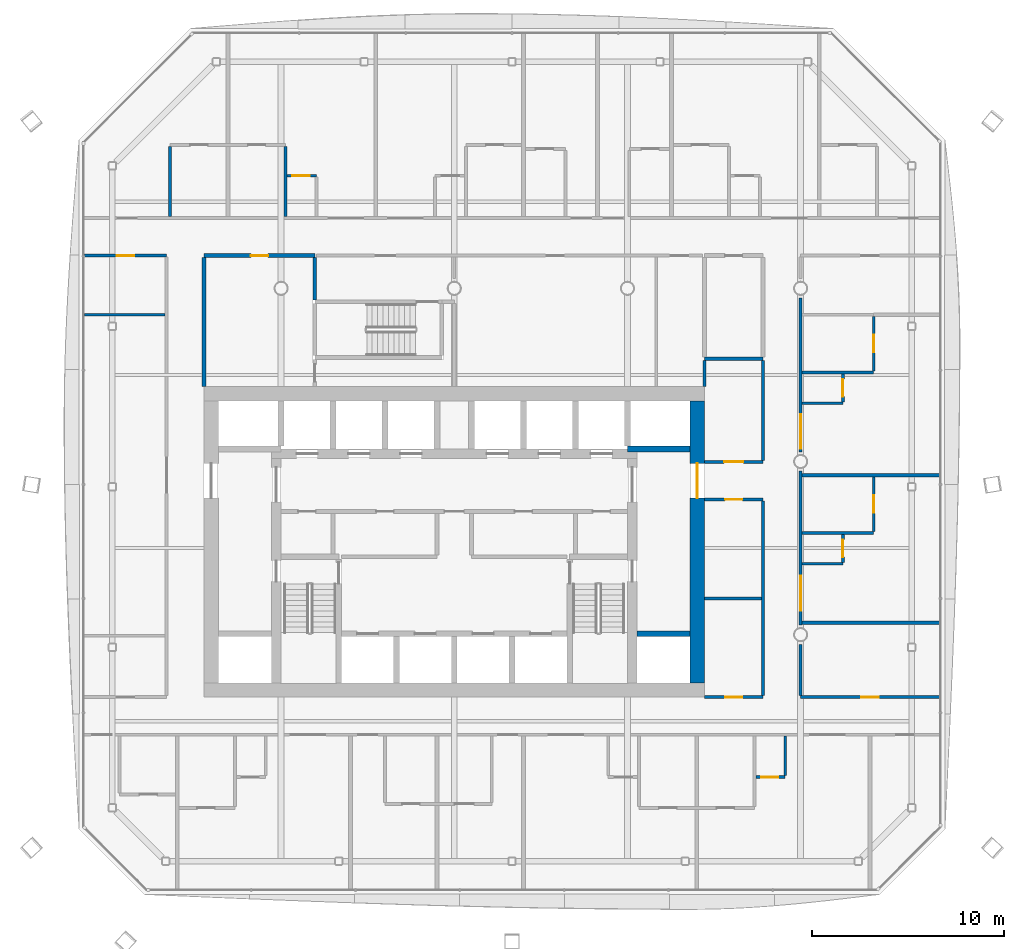
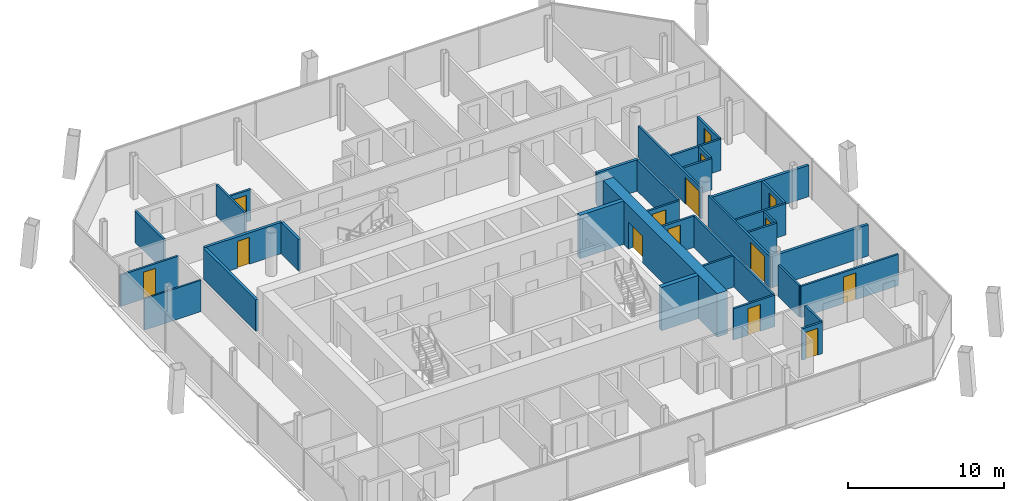
# One storey, part 15 of 21: 35 walls, 15 doors, 15 openings.
"""IFC4 building model written with IfcOpenShell, lengths in metres."""

from ifc_helpers import new_model, si_unit, direction, frame, frame_2d, origin, place, context, subcontext, project, spatial, rectangle, extrude, material, layer, layer_set, type_object, element, fill, save


model = new_model("IFC4")

# Units and contexts
model_context = context("Model", 3, precision=1e-05, world=origin(), true_north=direction((0.0, 1.0)))
body_context = subcontext(model_context, "Body", "Model", "MODEL_VIEW")
ifc_project = project(units=[si_unit("LENGTHUNIT", "METRE"), si_unit("AREAUNIT", "SQUARE_METRE"), si_unit("VOLUMEUNIT", "CUBIC_METRE"), si_unit("PLANEANGLEUNIT", "RADIAN"), si_unit("MASSUNIT", "GRAM", prefix="KILO")], contexts=[model_context])

# Site, building, storey
site_placement = place(None, origin())
site = spatial("IfcSite", under=ifc_project, at=site_placement, CompositionType="ELEMENT")
building_placement = place(site_placement, origin())
building = spatial("IfcBuilding", under=site, at=building_placement, Name="Tskaro Facet Tower", CompositionType="ELEMENT")
storey_placement = place(building_placement, frame((0.0, 0.0, 148.699951171875)))
storey = spatial("IfcBuildingStorey", under=building, at=storey_placement, Name="L36", CompositionType="ELEMENT", Elevation=148.699951171875)

# Walls
ifc_material_1 = material(Name="Concrete C60/75", Category="concrete")
ifc_layer_1 = layer(ifc_material_1, 0.300048828125, Name="Concrete C60/75")
ifc_layer_set_1 = layer_set([ifc_layer_1], Name="Concrete C60/75")
wall_type_1 = type_object("IfcWallType", Name="CORE-SHAFT", PredefinedType="SHEAR", material=ifc_layer_set_1)
wall_1_placement = place(storey_placement, frame((9.5, -8.949951171875, 0.0), z_axis=(0.0, 0.0, 1.0), x_axis=(1.0, 0.0, 0.0)))
element("IfcWall", 1, at=wall_1_placement, inside=storey, type_object=wall_type_1, Name="Shaft wall W015", PredefinedType="SHEAR", context=body_context, shape_type="SweptSolid", body=[
    extrude(rectangle(XDim=2.75, YDim=0.300048828125, at=frame_2d((1.375, 0.0))), origin(), (0.0, 0.0, 1.0), 3.400146484375),
])
wall_2_placement = place(storey_placement, frame((12.25, 0.64990234375, 0.0), z_axis=(0.0, 0.0, 1.0), x_axis=(-1.0, 0.0, 0.0)))
element("IfcWall", 2, at=wall_2_placement, inside=storey, type_object=wall_type_1, Name="Shaft wall W029", PredefinedType="SHEAR", context=body_context, shape_type="SweptSolid", body=[
    extrude(rectangle(XDim=3.25, YDim=0.300048828125, at=frame_2d((1.625, 0.0))), origin(), (0.0, 0.0, 1.0), 3.400146484375),
])

# Wall, opening, door
ifc_material_2 = material(Name="Concrete C50/60", Category="concrete")
ifc_layer_2 = layer(ifc_material_2, 0.75, Name="Concrete C50/60")
ifc_layer_set_2 = layer_set([ifc_layer_2], Name="Concrete C50/60")
wall_type_2 = type_object("IfcWallType", Name="Core wall 750", PredefinedType="SHEAR", material=ifc_layer_set_2)
wall_3_placement = place(storey_placement, frame((12.625, -11.5, 0.0), z_axis=(0.0, 0.0, 1.0), x_axis=(0.0, 1.0, 0.0)))
wall_3 = element("IfcWall", 3, at=wall_3_placement, inside=storey, type_object=wall_type_2, Name="Core wall CW-Z2E", PredefinedType="SHEAR", context=body_context, shape_type="SweptSolid", body=[
    extrude(rectangle(XDim=14.64990234375, YDim=0.75, at=frame_2d((7.324951171875, 0.0))), origin(), (0.0, 0.0, 1.0), 3.400146484375),
])
opening_1_placement = place(wall_3_placement, frame((9.60009765625, 0.0, 0.0)))
opening_1 = element("IfcOpeningElement", 4, at=opening_1_placement, cuts=wall_3, Name="Opening T10-D33", PredefinedType="OPENING", context=body_context, shape_type="SweptSolid", body=[
    extrude(rectangle(XDim=1.800048828125, YDim=2.10009765625, at=frame_2d((0.89990234375, 1.050048828125))), frame((0.0, 0.385009765625, 0.0), z_axis=(0.0, -1.0, 0.0), x_axis=(1.0, 0.0, 0.0)), (0.0, 0.0, 1.0), 0.77001953125),
])
ifc_material_3 = material(Name="Steel", Category="steel")
door_type_1 = type_object("IfcDoorType", Name="D-CORE-PAIR", OperationType="NOTDEFINED", PredefinedType="DOOR", material=ifc_material_3)
door_1_placement = place(opening_1_placement, origin())
door_1 = element("IfcDoor", 5, at=door_1_placement, inside=storey, type_object=door_type_1, Name="Door T10-D33", OperationType="DOUBLE_DOOR_SINGLE_SWING", OverallHeight=2.10009765625, OverallWidth=1.800048828125, PredefinedType="DOOR", context=body_context, shape_type="SweptSolid", body=[
    extrude(rectangle(XDim=1.800048828125, YDim=2.10009765625, at=frame_2d((0.89990234375, 1.050048828125))), frame((0.0, 0.02490234375, 0.0), z_axis=(0.0, -1.0, 0.0), x_axis=(1.0, 0.0, 0.0)), (0.0, 0.0, 1.0), 0.050048828125),
])
fill(opening_1, door_1)

# Wall
ifc_material_4 = material(Name="Gypsum board on steel studs", Category="steel")
ifc_layer_3 = layer(ifc_material_4, 0.125, Name="Gypsum board on steel studs")
ifc_layer_set_3 = layer_set([ifc_layer_3], Name="Gypsum board on steel studs")
wall_type_3 = type_object("IfcWallType", Name="PART", PredefinedType="PARTITIONING", material=ifc_layer_set_3)
wall_4_placement = place(storey_placement, frame((-19.221923828125, 7.6259765625, 0.0), z_axis=(0.0, 0.0, 1.0), x_axis=(1.0, 0.0, 0.0)))
element("IfcWall", 6, at=wall_4_placement, inside=storey, type_object=wall_type_3, Name="Partition W034", PredefinedType="PARTITIONING", context=body_context, shape_type="SweptSolid", body=[
    extrude(rectangle(XDim=4.197021484375, YDim=0.125, at=frame_2d((2.0986328125, 0.0))), origin(), (0.0, 0.0, 1.0), 2.4599609375),
])

# Wall, opening, door
ifc_layer_4 = layer(ifc_material_4, 0.14990234375, Name="Gypsum board on steel studs")
ifc_layer_set_4 = layer_set([ifc_layer_4], Name="Gypsum board on steel studs")
wall_type_4 = type_object("IfcWallType", Name="PART-CORR", PredefinedType="PARTITIONING", material=ifc_layer_set_4)
wall_5_placement = place(storey_placement, frame((15.675048828125, -16.39990234375, 0.0), z_axis=(0.0, 0.0, 1.0), x_axis=(1.0, 0.0, 0.0)))
wall_5 = element("IfcWall", 7, at=wall_5_placement, inside=storey, type_object=wall_type_4, Name="Corridor wall W007", PredefinedType="PARTITIONING", context=body_context, shape_type="SweptSolid", body=[
    extrude(rectangle(XDim=1.52490234375, YDim=0.14990234375, at=frame_2d((0.762451171875, 0.0))), origin(), (0.0, 0.0, 1.0), 2.4599609375),
])
opening_2_placement = place(wall_5_placement, frame((0.27490234375, 0.0, 0.0)))
opening_2 = element("IfcOpeningElement", 8, at=opening_2_placement, cuts=wall_5, Name="Opening T10-D09", PredefinedType="OPENING", context=body_context, shape_type="SweptSolid", body=[
    extrude(rectangle(XDim=0.89990234375, YDim=2.10009765625, at=frame_2d((0.449951171875, 1.050048828125))), frame((0.0, 0.0849609375, 0.0), z_axis=(0.0, -1.0, 0.0), x_axis=(1.0, 0.0, 0.0)), (0.0, 0.0, 1.0), 0.169921875),
])
ifc_material_5 = material(Name="Timber", Category="wood")
door_type_2 = type_object("IfcDoorType", Name="D-ROOM", OperationType="NOTDEFINED", PredefinedType="DOOR", material=ifc_material_5)
door_2_placement = place(opening_2_placement, origin())
door_2 = element("IfcDoor", 9, at=door_2_placement, inside=storey, type_object=door_type_2, Name="Door T10-D09", OperationType="SINGLE_SWING_LEFT", OverallHeight=2.10009765625, OverallWidth=0.89990234375, PredefinedType="DOOR", context=body_context, shape_type="SweptSolid", body=[
    extrude(rectangle(XDim=0.89990234375, YDim=2.10009765625, at=frame_2d((0.449951171875, 1.050048828125))), frame((0.0, 0.02490234375, 0.0), z_axis=(0.0, -1.0, 0.0), x_axis=(1.0, 0.0, 0.0)), (0.0, 0.0, 1.0), 0.050048828125),
])
fill(opening_2, door_2)

wall_6_placement = place(storey_placement, frame((13.0, -12.25, 0.0), z_axis=(0.0, 0.0, 1.0), x_axis=(1.0, 0.0, 0.0)))
wall_6 = element("IfcWall", 10, at=wall_6_placement, inside=storey, type_object=wall_type_4, Name="Corridor wall W010", PredefinedType="PARTITIONING", context=body_context, shape_type="SweptSolid", body=[
    extrude(rectangle(XDim=3.050048828125, YDim=0.14990234375, at=frame_2d((1.52490234375, 0.0))), origin(), (0.0, 0.0, 1.0), 2.4599609375),
])
opening_3_placement = place(wall_6_placement, frame((1.074951171875, 0.0, 0.0)))
opening_3 = element("IfcOpeningElement", 11, at=opening_3_placement, cuts=wall_6, Name="Opening T10-D18", PredefinedType="OPENING", context=body_context, shape_type="SweptSolid", body=[
    extrude(rectangle(XDim=0.89990234375, YDim=2.10009765625, at=frame_2d((0.449951171875, 1.050048828125))), frame((0.0, 0.0849609375, 0.0), z_axis=(0.0, -1.0, 0.0), x_axis=(1.0, 0.0, 0.0)), (0.0, 0.0, 1.0), 0.169921875),
])
door_3_placement = place(opening_3_placement, origin())
door_3 = element("IfcDoor", 12, at=door_3_placement, inside=storey, type_object=door_type_2, Name="Door T10-D18", OperationType="SINGLE_SWING_LEFT", OverallHeight=2.10009765625, OverallWidth=0.89990234375, PredefinedType="DOOR", context=body_context, shape_type="SweptSolid", body=[
    extrude(rectangle(XDim=0.89990234375, YDim=2.10009765625, at=frame_2d((0.449951171875, 1.050048828125))), frame((0.0, 0.02490234375, 0.0), z_axis=(0.0, -1.0, 0.0), x_axis=(1.0, 0.0, 0.0)), (0.0, 0.0, 1.0), 0.050048828125),
])
fill(opening_3, door_3)

wall_7_placement = place(storey_placement, frame((18.0, -12.25, 0.0), z_axis=(0.0, 0.0, 1.0), x_axis=(1.0, 0.0, 0.0)))
wall_7 = element("IfcWall", 13, at=wall_7_placement, inside=storey, type_object=wall_type_4, Name="Corridor wall W011", PredefinedType="PARTITIONING", context=body_context, shape_type="SweptSolid", body=[
    extrude(rectangle(XDim=7.221923828125, YDim=0.14990234375, at=frame_2d((3.61083984375, 0.0))), origin(), (0.0, 0.0, 1.0), 2.4599609375),
])
opening_4_placement = place(wall_7_placement, frame((3.160888671875, 0.0, 0.0)))
opening_4 = element("IfcOpeningElement", 14, at=opening_4_placement, cuts=wall_7, Name="Opening T10-D19", PredefinedType="OPENING", context=body_context, shape_type="SweptSolid", body=[
    extrude(rectangle(XDim=0.89990234375, YDim=2.10009765625, at=frame_2d((0.449951171875, 1.050048828125))), frame((0.0, 0.0849609375, 0.0), z_axis=(0.0, -1.0, 0.0), x_axis=(1.0, 0.0, 0.0)), (0.0, 0.0, 1.0), 0.169921875),
])
door_4_placement = place(opening_4_placement, origin())
door_4 = element("IfcDoor", 15, at=door_4_placement, inside=storey, type_object=door_type_2, Name="Door T10-D19", OperationType="SINGLE_SWING_LEFT", OverallHeight=2.10009765625, OverallWidth=0.89990234375, PredefinedType="DOOR", context=body_context, shape_type="SweptSolid", body=[
    extrude(rectangle(XDim=0.89990234375, YDim=2.10009765625, at=frame_2d((0.449951171875, 1.050048828125))), frame((0.0, 0.02490234375, 0.0), z_axis=(0.0, -1.0, 0.0), x_axis=(1.0, 0.0, 0.0)), (0.0, 0.0, 1.0), 0.050048828125),
])
fill(opening_4, door_4)

# Walls
wall_8_placement = place(storey_placement, frame((13.0, -7.112060546875, 0.0), z_axis=(0.0, 0.0, 1.0), x_axis=(1.0, 0.0, 0.0)))
element("IfcWall", 16, at=wall_8_placement, inside=storey, type_object=wall_type_4, Name="Corridor wall W017", PredefinedType="PARTITIONING", context=body_context, shape_type="SweptSolid", body=[
    extrude(rectangle(XDim=2.97509765625, YDim=0.14990234375, at=frame_2d((1.487548828125, 0.0))), origin(), (0.0, 0.0, 1.0), 2.4599609375),
])
wall_9_placement = place(storey_placement, frame((18.074951171875, -5.31591796875, 0.0), z_axis=(0.0, 0.0, 1.0), x_axis=(1.0, 0.0, 0.0)))
element("IfcWall", 17, at=wall_9_placement, inside=storey, type_object=wall_type_4, Name="Corridor wall W018", PredefinedType="PARTITIONING", context=body_context, shape_type="SweptSolid", body=[
    extrude(rectangle(XDim=2.125, YDim=0.14990234375, at=frame_2d((1.0625, 0.0))), origin(), (0.0, 0.0, 1.0), 2.4599609375),
])
wall_10_placement = place(storey_placement, frame((18.074951171875, -3.716064453125, 0.0), z_axis=(0.0, 0.0, 1.0), x_axis=(1.0, 0.0, 0.0)))
element("IfcWall", 18, at=wall_10_placement, inside=storey, type_object=wall_type_4, Name="Corridor wall W023", PredefinedType="PARTITIONING", context=body_context, shape_type="SweptSolid", body=[
    extrude(rectangle(XDim=3.72509765625, YDim=0.14990234375, at=frame_2d((1.862548828125, 0.0))), origin(), (0.0, 0.0, 1.0), 2.4599609375),
])

# Wall, opening, door
wall_11_placement = place(storey_placement, frame((16.050048828125, -1.97509765625, 0.0), z_axis=(0.0, 0.0, 1.0), x_axis=(-1.0, 0.0, 0.0)))
wall_11 = element("IfcWall", 19, at=wall_11_placement, inside=storey, type_object=wall_type_4, Name="Corridor wall W025", PredefinedType="PARTITIONING", context=body_context, shape_type="SweptSolid", body=[
    extrude(rectangle(XDim=3.050048828125, YDim=0.14990234375, at=frame_2d((1.52490234375, 0.0))), origin(), (0.0, 0.0, 1.0), 2.4599609375),
])
opening_5_placement = place(wall_11_placement, frame((1.074951171875, 0.0, 0.0)))
opening_5 = element("IfcOpeningElement", 20, at=opening_5_placement, cuts=wall_11, Name="Opening T10-D29", PredefinedType="OPENING", context=body_context, shape_type="SweptSolid", body=[
    extrude(rectangle(XDim=0.89990234375, YDim=2.10009765625, at=frame_2d((0.449951171875, 1.050048828125))), frame((0.0, 0.0849609375, 0.0), z_axis=(0.0, -1.0, 0.0), x_axis=(1.0, 0.0, 0.0)), (0.0, 0.0, 1.0), 0.169921875),
])
door_5_placement = place(opening_5_placement, origin())
door_5 = element("IfcDoor", 21, at=door_5_placement, inside=storey, type_object=door_type_2, Name="Door T10-D29", OperationType="SINGLE_SWING_RIGHT", OverallHeight=2.10009765625, OverallWidth=0.89990234375, PredefinedType="DOOR", context=body_context, shape_type="SweptSolid", body=[
    extrude(rectangle(XDim=0.89990234375, YDim=2.10009765625, at=frame_2d((0.449951171875, 1.050048828125))), frame((0.0, 0.02490234375, 0.0), z_axis=(0.0, -1.0, 0.0), x_axis=(1.0, 0.0, 0.0)), (0.0, 0.0, 1.0), 0.050048828125),
])
fill(opening_5, door_5)

wall_12_placement = place(storey_placement, frame((13.0, -0.02490234375, 0.0), z_axis=(0.0, 0.0, 1.0), x_axis=(1.0, 0.0, 0.0)))
wall_12 = element("IfcWall", 22, at=wall_12_placement, inside=storey, type_object=wall_type_4, Name="Corridor wall W027", PredefinedType="PARTITIONING", context=body_context, shape_type="SweptSolid", body=[
    extrude(rectangle(XDim=3.050048828125, YDim=0.14990234375, at=frame_2d((1.52490234375, 0.0))), origin(), (0.0, 0.0, 1.0), 2.4599609375),
])
opening_6_placement = place(wall_12_placement, frame((1.02490234375, 0.0, 0.0)))
opening_6 = element("IfcOpeningElement", 23, at=opening_6_placement, cuts=wall_12, Name="Opening T10-D35", PredefinedType="OPENING", context=body_context, shape_type="SweptSolid", body=[
    extrude(rectangle(XDim=1.0, YDim=2.10009765625, at=frame_2d((0.5, 1.050048828125))), frame((0.0, 0.0849609375, 0.0), z_axis=(0.0, -1.0, 0.0), x_axis=(1.0, 0.0, 0.0)), (0.0, 0.0, 1.0), 0.169921875),
])
door_type_3 = type_object("IfcDoorType", Name="D-ROOM-WIDE", OperationType="NOTDEFINED", PredefinedType="DOOR", material=ifc_material_5)
door_6_placement = place(opening_6_placement, origin())
door_6 = element("IfcDoor", 24, at=door_6_placement, inside=storey, type_object=door_type_3, Name="Door T10-D35", OperationType="SINGLE_SWING_LEFT", OverallHeight=2.10009765625, OverallWidth=1.0, PredefinedType="DOOR", context=body_context, shape_type="SweptSolid", body=[
    extrude(rectangle(XDim=1.0, YDim=2.10009765625, at=frame_2d((0.5, 1.050048828125))), frame((0.0, 0.02490234375, 0.0), z_axis=(0.0, -1.0, 0.0), x_axis=(1.0, 0.0, 0.0)), (0.0, 0.0, 1.0), 0.050048828125),
])
fill(opening_6, door_6)

# Walls
wall_13_placement = place(storey_placement, frame((18.074951171875, 3.02587890625, 0.0), z_axis=(0.0, 0.0, 1.0), x_axis=(1.0, 0.0, 0.0)))
element("IfcWall", 25, at=wall_13_placement, inside=storey, type_object=wall_type_4, Name="Corridor wall W030", PredefinedType="PARTITIONING", context=body_context, shape_type="SweptSolid", body=[
    extrude(rectangle(XDim=2.125, YDim=0.14990234375, at=frame_2d((1.0625, 0.0))), origin(), (0.0, 0.0, 1.0), 2.4599609375),
])
wall_14_placement = place(storey_placement, frame((18.074951171875, 4.6259765625, 0.0), z_axis=(0.0, 0.0, 1.0), x_axis=(1.0, 0.0, 0.0)))
element("IfcWall", 26, at=wall_14_placement, inside=storey, type_object=wall_type_4, Name="Corridor wall W031", PredefinedType="PARTITIONING", context=body_context, shape_type="SweptSolid", body=[
    extrude(rectangle(XDim=3.72509765625, YDim=0.14990234375, at=frame_2d((1.862548828125, 0.0))), origin(), (0.0, 0.0, 1.0), 2.4599609375),
])

# Wall, opening, door
wall_15_placement = place(storey_placement, frame((-14.949951171875, 10.699951171875, 0.0), z_axis=(0.0, 0.0, 1.0), x_axis=(-1.0, 0.0, 0.0)))
wall_15 = element("IfcWall", 27, at=wall_15_placement, inside=storey, type_object=wall_type_4, Name="Corridor wall W039", PredefinedType="PARTITIONING", context=body_context, shape_type="SweptSolid", body=[
    extrude(rectangle(XDim=4.27197265625, YDim=0.14990234375, at=frame_2d((2.135986328125, 0.0))), origin(), (0.0, 0.0, 1.0), 2.4599609375),
])
opening_7_placement = place(wall_15_placement, frame((1.68603515625, 0.0, 0.0)))
opening_7 = element("IfcOpeningElement", 28, at=opening_7_placement, cuts=wall_15, Name="Opening T10-D42", PredefinedType="OPENING", context=body_context, shape_type="SweptSolid", body=[
    extrude(rectangle(XDim=0.89990234375, YDim=2.10009765625, at=frame_2d((0.449951171875, 1.050048828125))), frame((0.0, 0.0849609375, 0.0), z_axis=(0.0, -1.0, 0.0), x_axis=(1.0, 0.0, 0.0)), (0.0, 0.0, 1.0), 0.169921875),
])
door_7_placement = place(opening_7_placement, origin())
door_7 = element("IfcDoor", 29, at=door_7_placement, inside=storey, type_object=door_type_2, Name="Door T10-D42", OperationType="SINGLE_SWING_RIGHT", OverallHeight=2.10009765625, OverallWidth=0.89990234375, PredefinedType="DOOR", context=body_context, shape_type="SweptSolid", body=[
    extrude(rectangle(XDim=0.89990234375, YDim=2.10009765625, at=frame_2d((0.449951171875, 1.050048828125))), frame((0.0, 0.02490234375, 0.0), z_axis=(0.0, -1.0, 0.0), x_axis=(1.0, 0.0, 0.0)), (0.0, 0.0, 1.0), 0.050048828125),
])
fill(opening_7, door_7)

wall_16_placement = place(storey_placement, frame((-7.16796875, 14.85009765625, 0.0), z_axis=(0.0, 0.0, 1.0), x_axis=(-1.0, 0.0, 0.0)))
wall_16 = element("IfcWall", 30, at=wall_16_placement, inside=storey, type_object=wall_type_4, Name="Corridor wall W045", PredefinedType="PARTITIONING", context=body_context, shape_type="SweptSolid", body=[
    extrude(rectangle(XDim=1.525146484375, YDim=0.14990234375, at=frame_2d((0.7626953125, 0.0))), origin(), (0.0, 0.0, 1.0), 2.4599609375),
])
opening_8_placement = place(wall_16_placement, frame((0.35009765625, 0.0, 0.0)))
opening_8 = element("IfcOpeningElement", 31, at=opening_8_placement, cuts=wall_16, Name="Opening T10-D56", PredefinedType="OPENING", context=body_context, shape_type="SweptSolid", body=[
    extrude(rectangle(XDim=0.89990234375, YDim=2.10009765625, at=frame_2d((0.449951171875, 1.050048828125))), frame((0.0, 0.0849609375, 0.0), z_axis=(0.0, -1.0, 0.0), x_axis=(1.0, 0.0, 0.0)), (0.0, 0.0, 1.0), 0.169921875),
])
door_8_placement = place(opening_8_placement, origin())
door_8 = element("IfcDoor", 32, at=door_8_placement, inside=storey, type_object=door_type_2, Name="Door T10-D56", OperationType="SINGLE_SWING_RIGHT", OverallHeight=2.10009765625, OverallWidth=0.89990234375, PredefinedType="DOOR", context=body_context, shape_type="SweptSolid", body=[
    extrude(rectangle(XDim=0.89990234375, YDim=2.10009765625, at=frame_2d((0.449951171875, 1.050048828125))), frame((0.0, 0.02490234375, 0.0), z_axis=(0.0, -1.0, 0.0), x_axis=(1.0, 0.0, 0.0)), (0.0, 0.0, 1.0), 0.050048828125),
])
fill(opening_8, door_8)

# Walls
for number, where, z_axis, x_axis, name in (
    (33, (-14.76806640625, 12.72509765625, 0.0), (0.0, 0.0, 1.0), (0.0, 1.0, 0.0), "Corridor wall W056"),
    (34, (-8.76806640625, 12.72509765625, 0.0), (0.0, 0.0, 1.0), (0.0, 1.0, 0.0), "Corridor wall W063"),
):
    element("IfcWall", number, at=place(storey_placement, frame(where, z_axis=z_axis, x_axis=x_axis)), inside=storey, type_object=wall_type_4, Name=name, PredefinedType="PARTITIONING", context=body_context, shape_type="SweptSolid", body=[
        extrude(rectangle(XDim=3.64990234375, YDim=0.14990234375, at=frame_2d((1.824951171875, 0.0))), origin(), (0.0, 0.0, 1.0), 2.4599609375),
    ])
wall_17_placement = place(storey_placement, frame((13.0, 3.89990234375, 0.0), z_axis=(0.0, 0.0, 1.0), x_axis=(0.0, 1.0, 0.0)))
element("IfcWall", 35, at=wall_17_placement, inside=storey, type_object=wall_type_4, Name="Corridor wall W104", PredefinedType="PARTITIONING", context=body_context, shape_type="SweptSolid", body=[
    extrude(rectangle(XDim=1.337158203125, YDim=0.14990234375, at=frame_2d((0.66845703125, 0.0))), origin(), (0.0, 0.0, 1.0), 2.4599609375),
])
wall_18_placement = place(storey_placement, frame((16.050048828125, -12.175048828125, 0.0), z_axis=(0.0, 0.0, 1.0), x_axis=(0.0, 1.0, 0.0)))
element("IfcWall", 36, at=wall_18_placement, inside=storey, type_object=wall_type_4, Name="Corridor wall W109", PredefinedType="PARTITIONING", context=body_context, shape_type="SweptSolid", body=[
    extrude(rectangle(XDim=10.125, YDim=0.14990234375, at=frame_2d((5.0625, 0.0))), origin(), (0.0, 0.0, 1.0), 2.4599609375),
])
wall_19_placement = place(storey_placement, frame((16.050048828125, 0.050048828125, 0.0), z_axis=(0.0, 0.0, 1.0), x_axis=(0.0, 1.0, 0.0)))
element("IfcWall", 37, at=wall_19_placement, inside=storey, type_object=wall_type_4, Name="Corridor wall W110", PredefinedType="PARTITIONING", context=body_context, shape_type="SweptSolid", body=[
    extrude(rectangle(XDim=5.18701171875, YDim=0.14990234375, at=frame_2d((2.593505859375, 0.0))), origin(), (0.0, 0.0, 1.0), 2.4599609375),
])
wall_20_placement = place(storey_placement, frame((17.199951171875, -16.324951171875, 0.0), z_axis=(0.0, 0.0, 1.0), x_axis=(0.0, 1.0, 0.0)))
element("IfcWall", 38, at=wall_20_placement, inside=storey, type_object=wall_type_4, Name="Corridor wall W112", PredefinedType="PARTITIONING", context=body_context, shape_type="SweptSolid", body=[
    extrude(rectangle(XDim=2.050048828125, YDim=0.14990234375, at=frame_2d((1.02490234375, 0.0))), origin(), (0.0, 0.0, 1.0), 2.4599609375),
])
wall_21_placement = place(storey_placement, frame((18.0, -12.175048828125, 0.0), z_axis=(0.0, 0.0, 1.0), x_axis=(0.0, 1.0, 0.0)))
element("IfcWall", 39, at=wall_21_placement, inside=storey, type_object=wall_type_4, Name="Corridor wall W113", PredefinedType="PARTITIONING", context=body_context, shape_type="SweptSolid", body=[
    extrude(rectangle(XDim=2.675048828125, YDim=0.14990234375, at=frame_2d((1.33740234375, 0.0))), origin(), (0.0, 0.0, 1.0), 2.4599609375),
])

# Wall, opening, door
wall_22_placement = place(storey_placement, frame((18.0, -0.5, 0.0), z_axis=(0.0, 0.0, 1.0), x_axis=(0.0, -1.0, 0.0)))
wall_22 = element("IfcWall", 40, at=wall_22_placement, inside=storey, type_object=wall_type_4, Name="Corridor wall W114", PredefinedType="PARTITIONING", context=body_context, shape_type="SweptSolid", body=[
    extrude(rectangle(XDim=8.0, YDim=0.14990234375, at=frame_2d((4.0, 0.0))), origin(), (0.0, 0.0, 1.0), 2.4599609375),
])
opening_9_placement = place(wall_22_placement, frame((5.447998046875, 0.0, 0.0)))
opening_9 = element("IfcOpeningElement", 41, at=opening_9_placement, cuts=wall_22, Name="Opening T10-D22", PredefinedType="OPENING", context=body_context, shape_type="SweptSolid", body=[
    extrude(rectangle(XDim=1.800048828125, YDim=2.10009765625, at=frame_2d((0.89990234375, 1.050048828125))), frame((0.0, 0.0849609375, 0.0), z_axis=(0.0, -1.0, 0.0), x_axis=(1.0, 0.0, 0.0)), (0.0, 0.0, 1.0), 0.169921875),
])
door_type_4 = type_object("IfcDoorType", Name="D-SUITE-PAIR", OperationType="NOTDEFINED", PredefinedType="DOOR", material=ifc_material_5)
door_9_placement = place(opening_9_placement, origin())
door_9 = element("IfcDoor", 42, at=door_9_placement, inside=storey, type_object=door_type_4, Name="Door T10-D22", OperationType="DOUBLE_DOOR_SINGLE_SWING", OverallHeight=2.10009765625, OverallWidth=1.800048828125, PredefinedType="DOOR", context=body_context, shape_type="SweptSolid", body=[
    extrude(rectangle(XDim=1.800048828125, YDim=2.10009765625, at=frame_2d((0.89990234375, 1.050048828125))), frame((0.0, 0.02490234375, 0.0), z_axis=(0.0, -1.0, 0.0), x_axis=(1.0, 0.0, 0.0)), (0.0, 0.0, 1.0), 0.050048828125),
])
fill(opening_9, door_9)

wall_23_placement = place(storey_placement, frame((18.0, 8.5, 0.0), z_axis=(0.0, 0.0, 1.0), x_axis=(0.0, -1.0, 0.0)))
wall_23 = element("IfcWall", 43, at=wall_23_placement, inside=storey, type_object=wall_type_4, Name="Corridor wall W115", PredefinedType="PARTITIONING", context=body_context, shape_type="SweptSolid", body=[
    extrude(rectangle(XDim=8.0, YDim=0.14990234375, at=frame_2d((4.0, 0.0))), origin(), (0.0, 0.0, 1.0), 2.4599609375),
])
opening_10_placement = place(wall_23_placement, frame((6.050048828125, 0.0, 0.0)))
opening_10 = element("IfcOpeningElement", 44, at=opening_10_placement, cuts=wall_23, Name="Opening T10-D38", PredefinedType="OPENING", context=body_context, shape_type="SweptSolid", body=[
    extrude(rectangle(XDim=1.800048828125, YDim=2.10009765625, at=frame_2d((0.89990234375, 1.050048828125))), frame((0.0, 0.0849609375, 0.0), z_axis=(0.0, -1.0, 0.0), x_axis=(1.0, 0.0, 0.0)), (0.0, 0.0, 1.0), 0.169921875),
])
door_10_placement = place(opening_10_placement, origin())
door_10 = element("IfcDoor", 45, at=door_10_placement, inside=storey, type_object=door_type_4, Name="Door T10-D38", OperationType="DOUBLE_DOOR_SINGLE_SWING", OverallHeight=2.10009765625, OverallWidth=1.800048828125, PredefinedType="DOOR", context=body_context, shape_type="SweptSolid", body=[
    extrude(rectangle(XDim=1.800048828125, YDim=2.10009765625, at=frame_2d((0.89990234375, 1.050048828125))), frame((0.0, 0.02490234375, 0.0), z_axis=(0.0, -1.0, 0.0), x_axis=(1.0, 0.0, 0.0)), (0.0, 0.0, 1.0), 0.050048828125),
])
fill(opening_10, door_10)

wall_24_placement = place(storey_placement, frame((20.199951171875, -5.240966796875, 0.0), z_axis=(0.0, 0.0, 1.0), x_axis=(0.0, 1.0, 0.0)))
wall_24 = element("IfcWall", 46, at=wall_24_placement, inside=storey, type_object=wall_type_4, Name="Corridor wall W118", PredefinedType="PARTITIONING", context=body_context, shape_type="SweptSolid", body=[
    extrude(rectangle(XDim=1.449951171875, YDim=0.14990234375, at=frame_2d((0.72509765625, 0.0))), origin(), (0.0, 0.0, 1.0), 2.4599609375),
])
opening_11_placement = place(wall_24_placement, frame((0.27490234375, 0.0, 0.0)))
opening_11 = element("IfcOpeningElement", 47, at=opening_11_placement, cuts=wall_24, Name="Opening T10-D23", PredefinedType="OPENING", context=body_context, shape_type="SweptSolid", body=[
    extrude(rectangle(XDim=0.89990234375, YDim=2.10009765625, at=frame_2d((0.449951171875, 1.050048828125))), frame((0.0, 0.0849609375, 0.0), z_axis=(0.0, -1.0, 0.0), x_axis=(1.0, 0.0, 0.0)), (0.0, 0.0, 1.0), 0.169921875),
])
door_11_placement = place(opening_11_placement, origin())
door_11 = element("IfcDoor", 48, at=door_11_placement, inside=storey, type_object=door_type_2, Name="Door T10-D23", OperationType="SINGLE_SWING_LEFT", OverallHeight=2.10009765625, OverallWidth=0.89990234375, PredefinedType="DOOR", context=body_context, shape_type="SweptSolid", body=[
    extrude(rectangle(XDim=0.89990234375, YDim=2.10009765625, at=frame_2d((0.449951171875, 1.050048828125))), frame((0.0, 0.02490234375, 0.0), z_axis=(0.0, -1.0, 0.0), x_axis=(1.0, 0.0, 0.0)), (0.0, 0.0, 1.0), 0.050048828125),
])
fill(opening_11, door_11)

wall_25_placement = place(storey_placement, frame((20.199951171875, 3.10107421875, 0.0), z_axis=(0.0, 0.0, 1.0), x_axis=(0.0, 1.0, 0.0)))
wall_25 = element("IfcWall", 49, at=wall_25_placement, inside=storey, type_object=wall_type_4, Name="Corridor wall W119", PredefinedType="PARTITIONING", context=body_context, shape_type="SweptSolid", body=[
    extrude(rectangle(XDim=1.449951171875, YDim=0.14990234375, at=frame_2d((0.72509765625, 0.0))), origin(), (0.0, 0.0, 1.0), 2.4599609375),
])
opening_12_placement = place(wall_25_placement, frame((0.27490234375, 0.0, 0.0)))
opening_12 = element("IfcOpeningElement", 50, at=opening_12_placement, cuts=wall_25, Name="Opening T10-D39", PredefinedType="OPENING", context=body_context, shape_type="SweptSolid", body=[
    extrude(rectangle(XDim=0.89990234375, YDim=2.10009765625, at=frame_2d((0.449951171875, 1.050048828125))), frame((0.0, 0.0849609375, 0.0), z_axis=(0.0, -1.0, 0.0), x_axis=(1.0, 0.0, 0.0)), (0.0, 0.0, 1.0), 0.169921875),
])
door_12_placement = place(opening_12_placement, origin())
door_12 = element("IfcDoor", 51, at=door_12_placement, inside=storey, type_object=door_type_2, Name="Door T10-D39", OperationType="SINGLE_SWING_LEFT", OverallHeight=2.10009765625, OverallWidth=0.89990234375, PredefinedType="DOOR", context=body_context, shape_type="SweptSolid", body=[
    extrude(rectangle(XDim=0.89990234375, YDim=2.10009765625, at=frame_2d((0.449951171875, 1.050048828125))), frame((0.0, 0.02490234375, 0.0), z_axis=(0.0, -1.0, 0.0), x_axis=(1.0, 0.0, 0.0)), (0.0, 0.0, 1.0), 0.050048828125),
])
fill(opening_12, door_12)

wall_26_placement = place(storey_placement, frame((21.800048828125, -3.64111328125, 0.0), z_axis=(0.0, 0.0, 1.0), x_axis=(0.0, 1.0, 0.0)))
wall_26 = element("IfcWall", 52, at=wall_26_placement, inside=storey, type_object=wall_type_4, Name="Corridor wall W121", PredefinedType="PARTITIONING", context=body_context, shape_type="SweptSolid", body=[
    extrude(rectangle(XDim=2.8251953125, YDim=0.14990234375, at=frame_2d((1.41259765625, 0.0))), origin(), (0.0, 0.0, 1.0), 2.4599609375),
])
opening_13_placement = place(wall_26_placement, frame((0.97509765625, 0.0, 0.0)))
opening_13 = element("IfcOpeningElement", 53, at=opening_13_placement, cuts=wall_26, Name="Opening T10-D28", PredefinedType="OPENING", context=body_context, shape_type="SweptSolid", body=[
    extrude(rectangle(XDim=0.89990234375, YDim=2.10009765625, at=frame_2d((0.449951171875, 1.050048828125))), frame((0.0, 0.0849609375, 0.0), z_axis=(0.0, -1.0, 0.0), x_axis=(1.0, 0.0, 0.0)), (0.0, 0.0, 1.0), 0.169921875),
])
door_13_placement = place(opening_13_placement, origin())
door_13 = element("IfcDoor", 54, at=door_13_placement, inside=storey, type_object=door_type_2, Name="Door T10-D28", OperationType="SINGLE_SWING_LEFT", OverallHeight=2.10009765625, OverallWidth=0.89990234375, PredefinedType="DOOR", context=body_context, shape_type="SweptSolid", body=[
    extrude(rectangle(XDim=0.89990234375, YDim=2.10009765625, at=frame_2d((0.449951171875, 1.050048828125))), frame((0.0, 0.02490234375, 0.0), z_axis=(0.0, -1.0, 0.0), x_axis=(1.0, 0.0, 0.0)), (0.0, 0.0, 1.0), 0.050048828125),
])
fill(opening_13, door_13)

wall_27_placement = place(storey_placement, frame((21.800048828125, 4.700927734375, 0.0), z_axis=(0.0, 0.0, 1.0), x_axis=(0.0, 1.0, 0.0)))
wall_27 = element("IfcWall", 55, at=wall_27_placement, inside=storey, type_object=wall_type_4, Name="Corridor wall W122", PredefinedType="PARTITIONING", context=body_context, shape_type="SweptSolid", body=[
    extrude(rectangle(XDim=2.824951171875, YDim=0.14990234375, at=frame_2d((1.41259765625, 0.0))), origin(), (0.0, 0.0, 1.0), 2.4599609375),
])
opening_14_placement = place(wall_27_placement, frame((0.97509765625, 0.0, 0.0)))
opening_14 = element("IfcOpeningElement", 56, at=opening_14_placement, cuts=wall_27, Name="Opening T10-D41", PredefinedType="OPENING", context=body_context, shape_type="SweptSolid", body=[
    extrude(rectangle(XDim=0.89990234375, YDim=2.10009765625, at=frame_2d((0.449951171875, 1.050048828125))), frame((0.0, 0.0849609375, 0.0), z_axis=(0.0, -1.0, 0.0), x_axis=(1.0, 0.0, 0.0)), (0.0, 0.0, 1.0), 0.169921875),
])
door_14_placement = place(opening_14_placement, origin())
door_14 = element("IfcDoor", 57, at=door_14_placement, inside=storey, type_object=door_type_2, Name="Door T10-D41", OperationType="SINGLE_SWING_LEFT", OverallHeight=2.10009765625, OverallWidth=0.89990234375, PredefinedType="DOOR", context=body_context, shape_type="SweptSolid", body=[
    extrude(rectangle(XDim=0.89990234375, YDim=2.10009765625, at=frame_2d((0.449951171875, 1.050048828125))), frame((0.0, 0.02490234375, 0.0), z_axis=(0.0, -1.0, 0.0), x_axis=(1.0, 0.0, 0.0)), (0.0, 0.0, 1.0), 0.050048828125),
])
fill(opening_14, door_14)

# Walls
ifc_layer_5 = layer(ifc_material_4, 0.199951171875, Name="Gypsum board on steel studs")
ifc_layer_set_5 = layer_set([ifc_layer_5], Name="Gypsum board on steel studs")
wall_type_5 = type_object("IfcWallType", Name="PART-DEMISING", PredefinedType="PARTITIONING", material=ifc_layer_set_5)
for number, where, z_axis, x_axis, name in (
    (58, (18.074951171875, -8.3798828125, 0.0), (0.0, 0.0, 1.0), (1.0, 0.0, 0.0), "Guest room wall W016"),
    (59, (18.074951171875, -0.716064453125, 0.0), (0.0, 0.0, 1.0), (1.0, 0.0, 0.0), "Guest room wall W026"),
):
    element("IfcWall", number, at=place(storey_placement, frame(where, z_axis=z_axis, x_axis=x_axis)), inside=storey, type_object=wall_type_5, Name=name, PredefinedType="PARTITIONING", context=body_context, shape_type="SweptSolid", body=[
        extrude(rectangle(XDim=7.14697265625, YDim=0.199951171875, at=frame_2d((3.573486328125, 0.0))), origin(), (0.0, 0.0, 1.0), 2.4599609375),
    ])
ifc_material_6 = material(Name="Concrete C20/25", Category="concrete")
ifc_layer_6 = layer(ifc_material_6, 0.199951171875, Name="Concrete C20/25")
ifc_layer_set_6 = layer_set([ifc_layer_6], Name="Concrete C20/25")
wall_type_6 = type_object("IfcWallType", Name="WALL-RISER", PredefinedType="SOLIDWALL", material=ifc_layer_set_6)
wall_28_placement = place(storey_placement, frame((13.0, 5.3369140625, 0.0), z_axis=(0.0, 0.0, 1.0), x_axis=(1.0, 0.0, 0.0)))
element("IfcWall", 60, at=wall_28_placement, inside=storey, type_object=wall_type_6, Name="Riser room wall W032", PredefinedType="SOLIDWALL", context=body_context, shape_type="SweptSolid", body=[
    extrude(rectangle(XDim=3.050048828125, YDim=0.199951171875, at=frame_2d((1.52490234375, 0.0))), origin(), (0.0, 0.0, 1.0), 2.4599609375),
])

# Wall, opening, door
wall_29_placement = place(storey_placement, frame((-7.25, 10.699951171875, 0.0), z_axis=(0.0, 0.0, 1.0), x_axis=(-1.0, 0.0, 0.0)))
wall_29 = element("IfcWall", 61, at=wall_29_placement, inside=storey, type_object=wall_type_6, Name="Riser room wall W040", PredefinedType="SOLIDWALL", context=body_context, shape_type="SweptSolid", body=[
    extrude(rectangle(XDim=5.75, YDim=0.199951171875, at=frame_2d((2.875, 0.0))), origin(), (0.0, 0.0, 1.0), 2.4599609375),
])
opening_15_placement = place(wall_29_placement, frame((2.425048828125, 0.0, 0.0)))
opening_15 = element("IfcOpeningElement", 62, at=opening_15_placement, cuts=wall_29, Name="Opening T10-D43", PredefinedType="OPENING", context=body_context, shape_type="SweptSolid", body=[
    extrude(rectangle(XDim=0.89990234375, YDim=2.10009765625, at=frame_2d((0.449951171875, 1.050048828125))), frame((0.0, 0.10986328125, 0.0), z_axis=(0.0, -1.0, 0.0), x_axis=(1.0, 0.0, 0.0)), (0.0, 0.0, 1.0), 0.219970703125),
])
door_type_5 = type_object("IfcDoorType", Name="D-RISER", OperationType="NOTDEFINED", PredefinedType="DOOR", material=ifc_material_3)
door_15_placement = place(opening_15_placement, origin())
door_15 = element("IfcDoor", 63, at=door_15_placement, inside=storey, type_object=door_type_5, Name="Door T10-D43", OperationType="SINGLE_SWING_RIGHT", OverallHeight=2.10009765625, OverallWidth=0.89990234375, PredefinedType="DOOR", context=body_context, shape_type="SweptSolid", body=[
    extrude(rectangle(XDim=0.89990234375, YDim=2.10009765625, at=frame_2d((0.449951171875, 1.050048828125))), frame((0.0, 0.02490234375, 0.0), z_axis=(0.0, -1.0, 0.0), x_axis=(1.0, 0.0, 0.0)), (0.0, 0.0, 1.0), 0.050048828125),
])
fill(opening_15, door_15)

# Walls
wall_30_placement = place(storey_placement, frame((-13.0, 3.89990234375, 0.0), z_axis=(0.0, 0.0, 1.0), x_axis=(0.0, 1.0, 0.0)))
element("IfcWall", 64, at=wall_30_placement, inside=storey, type_object=wall_type_6, Name="Riser room wall W058", PredefinedType="SOLIDWALL", context=body_context, shape_type="SweptSolid", body=[
    extrude(rectangle(XDim=6.7001953125, YDim=0.199951171875, at=frame_2d((3.35009765625, 0.0))), origin(), (0.0, 0.0, 1.0), 2.4599609375),
])
wall_31_placement = place(storey_placement, frame((-7.25, 8.39990234375, 0.0), z_axis=(0.0, 0.0, 1.0), x_axis=(0.0, 1.0, 0.0)))
element("IfcWall", 65, at=wall_31_placement, inside=storey, type_object=wall_type_6, Name="Riser room wall W066", PredefinedType="SOLIDWALL", context=body_context, shape_type="SweptSolid", body=[
    extrude(rectangle(XDim=2.2001953125, YDim=0.199951171875, at=frame_2d((1.10009765625, 0.0))), origin(), (0.0, 0.0, 1.0), 2.4599609375),
])

save(model, "model.ifc")
